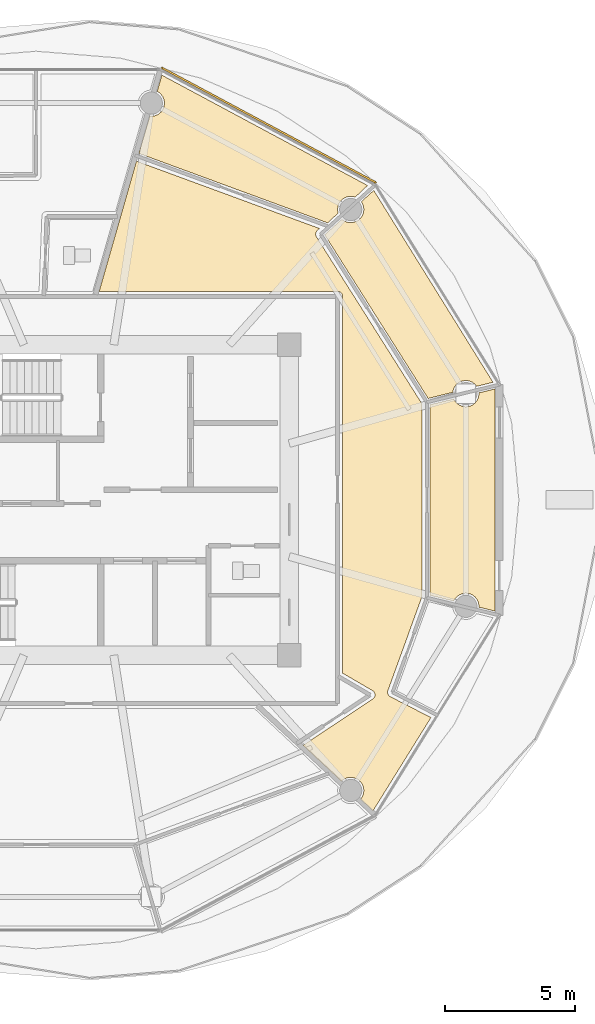
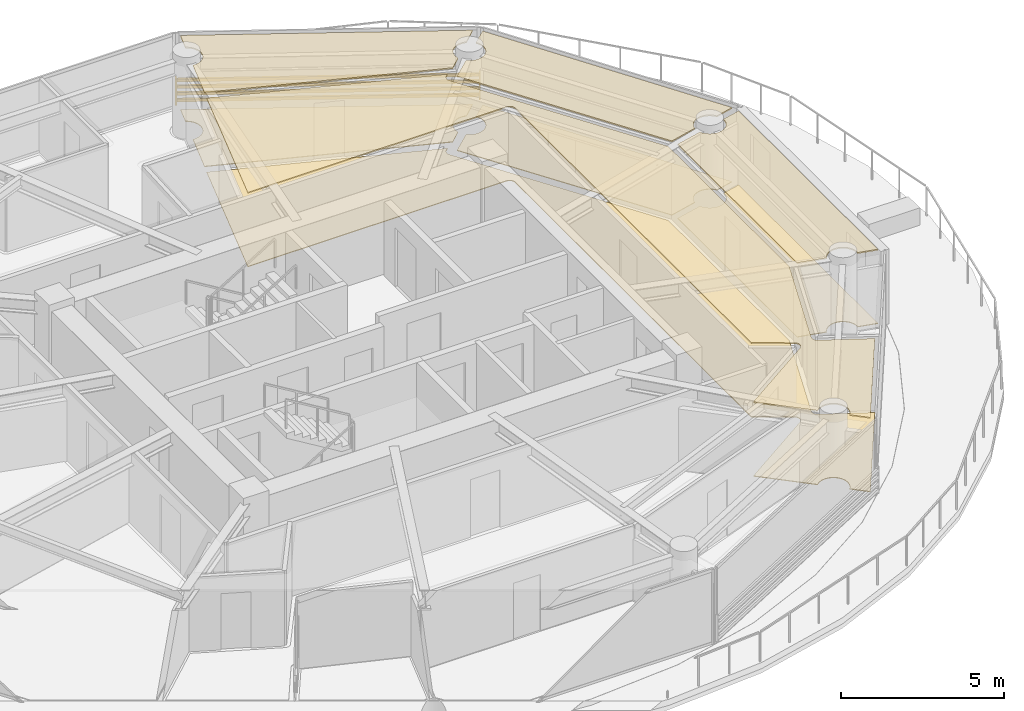
# One storey, part 30 of 32: 8 coverings, 1 shading device.
"""IFC4 building model written with IfcOpenShell, lengths in metres."""

from ifc_helpers import new_model, si_unit, direction, frame, origin, origin_2d, place, context, subcontext, project, spatial, polyline, rectangle, outline, extrude, source, transform, mapped, material, layer, layer_set, type_object, type_shapes, element, save


model = new_model("IFC4")

# Units and contexts
model_context = context("Model", 3, precision=1e-05, world=origin(), true_north=direction((0.0, 1.0)))
body_context = subcontext(model_context, "Body", "Model", "MODEL_VIEW")
ifc_project = project(units=[si_unit("LENGTHUNIT", "METRE"), si_unit("AREAUNIT", "SQUARE_METRE"), si_unit("VOLUMEUNIT", "CUBIC_METRE"), si_unit("PLANEANGLEUNIT", "RADIAN"), si_unit("MASSUNIT", "GRAM", prefix="KILO")], contexts=[model_context])

# Site, building, storey
site_placement = place(None, origin())
site = spatial("IfcSite", under=ifc_project, at=site_placement, CompositionType="ELEMENT")
building_placement = place(site_placement, origin())
building = spatial("IfcBuilding", under=site, at=building_placement, Name="Norrkilde Senior Care Towers", CompositionType="ELEMENT")
storey_placement = place(building_placement, frame((0.0, 0.0, 77.949951171875)))
storey = spatial("IfcBuildingStorey", under=building, at=storey_placement, Name="L23", CompositionType="ELEMENT", Elevation=77.949951171875)

# Coverings
ifc_material_1 = material(Name="Nordic Ash Timber", Category="wood")
ifc_layer_1 = layer(ifc_material_1, 0.044921875)
ifc_layer_set_1 = layer_set([ifc_layer_1], Name="Nordic Ash Timber")
covering_type_1 = type_object("IfcCoveringType", Name="Acoustic Ash Timber Slatted Ceiling 45", PredefinedType="CEILING", material=ifc_layer_set_1)
covering_1_placement = place(storey_placement, frame((0.0, 0.0, 2.7451171875)))
element("IfcCovering", 1, at=covering_1_placement, inside=storey, type_object=covering_type_1, Name="L23 Suspended Ceiling 0232", PredefinedType="CEILING", context=body_context, shape_type="SweptSolid", body=[
    extrude(outline(polyline([(36.703857421875, 10.30615234375), (36.696533203125, 10.29638671875), (36.692626953125, 10.29052734375), (36.6865234375, 10.2802734375), (36.683349609375, 10.274169921875), (36.67822265625, 10.26318359375), (36.675537109375, 10.2568359375), (36.671630859375, 10.245361328125), (36.669677734375, 10.23876953125), (36.6669921875, 10.22705078125), (36.66552734375, 10.22021484375), (36.6640625, 10.208251953125), (36.663330078125, 10.201416015625), (36.662841796875, 10.189453125), (36.6630859375, 10.182373046875), (36.663818359375, 10.17041015625), (36.66455078125, 10.16357421875), (36.66650390625, 10.151611328125), (36.66796875, 10.144775390625), (36.671142578125, 10.13330078125), (36.67333984375, 10.12646484375), (36.677490234375, 10.115234375), (36.680419921875, 10.10888671875), (36.685791015625, 10.09814453125), (36.689208984375, 10.092041015625), (36.6923828125, 10.0869140625), (40.73486328125, 3.691650390625), (40.73486328125, -3.71142578125), (39.432373046875, -7.3056640625), (39.4306640625, -7.311279296875), (39.428466796875, -7.317626953125), (39.42578125, -7.328857421875), (39.42431640625, -7.33544921875), (39.422607421875, -7.3466796875), (39.421875, -7.353515625), (39.421142578125, -7.364990234375), (39.421142578125, -7.371826171875), (39.421630859375, -7.38330078125), (39.422119140625, -7.39013671875), (39.423583984375, -7.4013671875), (39.4248046875, -7.407958984375), (39.427490234375, -7.41943359375), (39.429443359375, -7.42578125), (39.43310546875, -7.436767578125), (39.435546875, -7.443115234375), (39.440185546875, -7.45361328125), (39.443359375, -7.45947265625), (39.448974609375, -7.469482421875), (39.45263671875, -7.475341796875), (39.459228515625, -7.484619140625), (39.46337890625, -7.489990234375), (39.470947265625, -7.498779296875), (39.4755859375, -7.503662109375), (39.48388671875, -7.51171875), (39.489013671875, -7.51611328125), (39.498046875, -7.523193359375), (39.503662109375, -7.527099609375), (39.513427734375, -7.533203125), (39.519287109375, -7.53662109375), (39.524169921875, -7.53955078125), (41.08251953125, -8.339111328125), (38.858154296875, -11.918701171875), (38.38037109375, -11.4716796875), (38.443603515625, -11.389404296875), (38.493896484375, -11.267578125), (38.51123046875, -11.136962890625), (38.493896484375, -11.00634765625), (38.443603515625, -10.884521484375), (38.36328125, -10.77978515625), (38.2587890625, -10.69970703125), (38.136962890625, -10.649169921875), (38.006103515625, -10.6318359375), (37.87548828125, -10.649169921875), (37.753662109375, -10.69970703125), (37.649169921875, -10.77978515625), (37.64599609375, -10.783935546875), (36.174072265625, -9.40625), (38.8505859375, -7.6298828125), (38.855224609375, -7.62646484375), (38.860595703125, -7.62255859375), (38.86962890625, -7.615234375), (38.874755859375, -7.61083984375), (38.883056640625, -7.6025390625), (38.887451171875, -7.59765625), (38.89501953125, -7.5888671875), (38.89892578125, -7.583251953125), (38.905517578125, -7.57373046875), (38.908935546875, -7.568115234375), (38.91455078125, -7.557861328125), (38.91748046875, -7.5517578125), (38.922119140625, -7.541259765625), (38.924560546875, -7.534912109375), (38.927978515625, -7.52392578125), (38.9296875, -7.517333984375), (38.93212890625, -7.505859375), (38.933349609375, -7.499267578125), (38.9345703125, -7.48779296875), (38.93505859375, -7.48095703125), (38.935302734375, -7.469482421875), (38.93505859375, -7.462646484375), (38.934326171875, -7.451171875), (38.933349609375, -7.444580078125), (38.931396484375, -7.43310546875), (38.929931640625, -7.426513671875), (38.9267578125, -7.415283203125), (38.9248046875, -7.408935546875), (38.920654296875, -7.398193359375), (38.91796875, -7.391845703125), (38.91259765625, -7.381591796875), (38.909423828125, -7.375732421875), (38.9033203125, -7.365966796875), (38.8994140625, -7.3603515625), (38.892333984375, -7.35107421875), (38.887939453125, -7.345947265625), (38.880126953125, -7.337646484375), (38.875244140625, -7.332763671875), (38.866455078125, -7.3251953125), (38.861328125, -7.321044921875), (38.851806640625, -7.314208984375), (38.84619140625, -7.310546875), (38.84130859375, -7.307373046875), (37.699951171875, -6.64111328125), (37.699951171875, 7.800048828125), (37.699951171875, 7.805908203125), (37.699462890625, 7.813720703125), (37.6982421875, 7.825439453125), (37.697265625, 7.833251953125), (37.69482421875, 7.8447265625), (37.69287109375, 7.852294921875), (37.689453125, 7.86376953125), (37.68701171875, 7.87109375), (37.682373046875, 7.8818359375), (37.678955078125, 7.888916015625), (37.673583984375, 7.8994140625), (37.66943359375, 7.90625), (37.662841796875, 7.916015625), (37.658203125, 7.92236328125), (37.65087890625, 7.931396484375), (37.6455078125, 7.937255859375), (37.63720703125, 7.945556640625), (37.63134765625, 7.95068359375), (37.622314453125, 7.958251953125), (37.615966796875, 7.962890625), (37.606201171875, 7.969482421875), (37.599365234375, 7.973388671875), (37.589111328125, 7.97900390625), (37.58203125, 7.982421875), (37.571044921875, 7.98681640625), (37.563720703125, 7.989501953125), (37.552490234375, 7.992919921875), (37.544677734375, 7.994873046875), (37.533203125, 7.9970703125), (37.525390625, 7.998291015625), (37.513671875, 7.99951171875), (37.505859375, 7.999755859375), (37.5, 8.0), (28.36474609375, 8.0), (29.79296875, 12.989013671875), (36.811279296875, 10.406982421875), (36.7255859375, 10.32958984375), (36.72119140625, 10.325439453125), (36.71630859375, 10.3203125), (36.708251953125, 10.3115234375), (36.703857421875, 10.30615234375)])), origin(), (0.0, 0.0, 1.0), 0.044921875),
])
covering_2_placement = place(storey_placement, frame((0.0, 0.0, 2.7451171875)))
element("IfcCovering", 2, at=covering_2_placement, inside=storey, type_object=covering_type_1, Name="L23 Suspended Ceiling 0234", PredefinedType="CEILING", context=body_context, shape_type="SweptSolid", body=[
    extrude(outline(polyline([(41.981689453125, 3.823974609375), (42.06201171875, 3.71923828125), (42.16650390625, 3.63916015625), (42.288330078125, 3.588623046875), (42.4189453125, 3.5712890625), (42.5498046875, 3.588623046875), (42.671630859375, 3.63916015625), (42.776123046875, 3.71923828125), (42.8564453125, 3.823974609375), (42.90673828125, 3.94580078125), (42.924072265625, 4.076416015625), (42.919921875, 4.108154296875), (43.545166015625, 4.25927734375), (43.545166015625, -4.25927734375), (42.919921875, -4.108154296875), (42.924072265625, -4.076416015625), (42.90673828125, -3.94580078125), (42.8564453125, -3.823974609375), (42.776123046875, -3.71923828125), (42.671630859375, -3.63916015625), (42.5498046875, -3.588623046875), (42.4189453125, -3.5712890625), (42.288330078125, -3.588623046875), (42.16650390625, -3.63916015625), (42.06201171875, -3.71923828125), (41.981689453125, -3.823974609375), (41.9599609375, -3.876220703125), (41.044677734375, -3.655029296875), (41.044677734375, 3.655029296875), (41.9599609375, 3.876220703125), (41.981689453125, 3.823974609375)])), origin(), (0.0, 0.0, 1.0), 0.044921875),
])
covering_3_placement = place(storey_placement, frame((0.0, 0.0, 2.7451171875)))
element("IfcCovering", 3, at=covering_3_placement, inside=storey, type_object=covering_type_1, Name="L23 Suspended Ceiling 0235", PredefinedType="CEILING", context=body_context, shape_type="SweptSolid", body=[
    extrude(outline(polyline([(42.833740234375, 4.358642578125), (42.776123046875, 4.43359375), (42.671630859375, 4.513671875), (42.5498046875, 4.564208984375), (42.4189453125, 4.581298828125), (42.288330078125, 4.564208984375), (42.16650390625, 4.513671875), (42.06201171875, 4.43359375), (41.981689453125, 4.328857421875), (41.93115234375, 4.20703125), (41.921142578125, 4.129638671875), (40.974609375, 3.892333984375), (37.00830078125, 10.167236328125), (37.669677734375, 10.76416015625), (37.753662109375, 10.69970703125), (37.87548828125, 10.649169921875), (38.006103515625, 10.6318359375), (38.136962890625, 10.649169921875), (38.2587890625, 10.69970703125), (38.36328125, 10.77978515625), (38.443603515625, 10.884521484375), (38.493896484375, 11.00634765625), (38.51123046875, 11.136962890625), (38.493896484375, 11.267578125), (38.443603515625, 11.389404296875), (38.41015625, 11.432861328125), (38.890625, 11.866455078125), (43.45849609375, 4.515380859375), (42.833740234375, 4.358642578125)])), origin(), (0.0, 0.0, 1.0), 0.044921875),
])
covering_4_placement = place(storey_placement, frame((0.0, 0.0, 2.7451171875)))
element("IfcCovering", 4, at=covering_4_placement, inside=storey, type_object=covering_type_1, Name="L23 Suspended Ceiling 0236", PredefinedType="CEILING", context=body_context, shape_type="SweptSolid", body=[
    extrude(outline(polyline([(38.17578125, 11.608642578125), (38.136962890625, 11.624755859375), (38.006103515625, 11.641845703125), (37.87548828125, 11.624755859375), (37.753662109375, 11.57421875), (37.649169921875, 11.494140625), (37.56884765625, 11.389404296875), (37.518310546875, 11.267578125), (37.501220703125, 11.136962890625), (37.518310546875, 11.00634765625), (37.522216796875, 10.9970703125), (37.12255859375, 10.622802734375), (29.885009765625, 13.285400390625), (30.306640625, 14.7158203125), (30.36279296875, 14.708251953125), (30.49365234375, 14.7255859375), (30.615478515625, 14.77587890625), (30.719970703125, 14.856201171875), (30.80029296875, 14.9609375), (30.8505859375, 15.08251953125), (30.867919921875, 15.21337890625), (30.8505859375, 15.343994140625), (30.80029296875, 15.4658203125), (30.719970703125, 15.5703125), (30.615478515625, 15.650634765625), (30.585693359375, 15.6630859375), (30.768798828125, 16.28466796875), (38.65283203125, 12.055419921875), (38.17578125, 11.608642578125)])), origin(), (0.0, 0.0, 1.0), 0.044921875),
])
ifc_material_2 = material(Name="Slip-Resistant Porcelain Stone", Category="masonry")
ifc_layer_2 = layer(ifc_material_2, 0.02490234375)
ifc_layer_set_2 = layer_set([ifc_layer_2], Name="Slip-Resistant Porcelain Stone")
covering_type_2 = type_object("IfcCoveringType", Name="Slip-Resistant Porcelain Flooring 25", PredefinedType="FLOORING", material=ifc_layer_set_2)
covering_5_placement = place(storey_placement, origin())
element("IfcCovering", 5, at=covering_5_placement, inside=storey, type_object=covering_type_2, Name="L23 Floor Finish 0232", PredefinedType="FLOORING", context=body_context, shape_type="SweptSolid", body=[
    extrude(outline(polyline([(36.703857421875, 10.30615234375), (36.696533203125, 10.29638671875), (36.692626953125, 10.29052734375), (36.6865234375, 10.2802734375), (36.683349609375, 10.274169921875), (36.67822265625, 10.26318359375), (36.675537109375, 10.2568359375), (36.671630859375, 10.245361328125), (36.669677734375, 10.23876953125), (36.6669921875, 10.22705078125), (36.66552734375, 10.22021484375), (36.6640625, 10.208251953125), (36.663330078125, 10.201416015625), (36.662841796875, 10.189453125), (36.6630859375, 10.182373046875), (36.663818359375, 10.17041015625), (36.66455078125, 10.16357421875), (36.66650390625, 10.151611328125), (36.66796875, 10.144775390625), (36.671142578125, 10.13330078125), (36.67333984375, 10.12646484375), (36.677490234375, 10.115234375), (36.680419921875, 10.10888671875), (36.685791015625, 10.09814453125), (36.689208984375, 10.092041015625), (36.6923828125, 10.0869140625), (40.73486328125, 3.691650390625), (40.73486328125, -3.71142578125), (39.432373046875, -7.3056640625), (39.4306640625, -7.311279296875), (39.428466796875, -7.317626953125), (39.42578125, -7.328857421875), (39.42431640625, -7.33544921875), (39.422607421875, -7.3466796875), (39.421875, -7.353515625), (39.421142578125, -7.364990234375), (39.421142578125, -7.371826171875), (39.421630859375, -7.38330078125), (39.422119140625, -7.39013671875), (39.423583984375, -7.4013671875), (39.4248046875, -7.407958984375), (39.427490234375, -7.41943359375), (39.429443359375, -7.42578125), (39.43310546875, -7.436767578125), (39.435546875, -7.443115234375), (39.440185546875, -7.45361328125), (39.443359375, -7.45947265625), (39.448974609375, -7.469482421875), (39.45263671875, -7.475341796875), (39.459228515625, -7.484619140625), (39.46337890625, -7.489990234375), (39.470947265625, -7.498779296875), (39.4755859375, -7.503662109375), (39.48388671875, -7.51171875), (39.489013671875, -7.51611328125), (39.498046875, -7.523193359375), (39.503662109375, -7.527099609375), (39.513427734375, -7.533203125), (39.519287109375, -7.53662109375), (39.524169921875, -7.53955078125), (41.08251953125, -8.339111328125), (38.858154296875, -11.918701171875), (38.38037109375, -11.4716796875), (38.443603515625, -11.389404296875), (38.493896484375, -11.267578125), (38.51123046875, -11.136962890625), (38.493896484375, -11.00634765625), (38.443603515625, -10.884521484375), (38.36328125, -10.77978515625), (38.2587890625, -10.69970703125), (38.136962890625, -10.649169921875), (38.006103515625, -10.6318359375), (37.87548828125, -10.649169921875), (37.753662109375, -10.69970703125), (37.649169921875, -10.77978515625), (37.64599609375, -10.783935546875), (36.174072265625, -9.40625), (38.8505859375, -7.6298828125), (38.855224609375, -7.62646484375), (38.860595703125, -7.62255859375), (38.86962890625, -7.615234375), (38.874755859375, -7.61083984375), (38.883056640625, -7.6025390625), (38.887451171875, -7.59765625), (38.89501953125, -7.5888671875), (38.89892578125, -7.583251953125), (38.905517578125, -7.57373046875), (38.908935546875, -7.568115234375), (38.91455078125, -7.557861328125), (38.91748046875, -7.5517578125), (38.922119140625, -7.541259765625), (38.924560546875, -7.534912109375), (38.927978515625, -7.52392578125), (38.9296875, -7.517333984375), (38.93212890625, -7.505859375), (38.933349609375, -7.499267578125), (38.9345703125, -7.48779296875), (38.93505859375, -7.48095703125), (38.935302734375, -7.469482421875), (38.93505859375, -7.462646484375), (38.934326171875, -7.451171875), (38.933349609375, -7.444580078125), (38.931396484375, -7.43310546875), (38.929931640625, -7.426513671875), (38.9267578125, -7.415283203125), (38.9248046875, -7.408935546875), (38.920654296875, -7.398193359375), (38.91796875, -7.391845703125), (38.91259765625, -7.381591796875), (38.909423828125, -7.375732421875), (38.9033203125, -7.365966796875), (38.8994140625, -7.3603515625), (38.892333984375, -7.35107421875), (38.887939453125, -7.345947265625), (38.880126953125, -7.337646484375), (38.875244140625, -7.332763671875), (38.866455078125, -7.3251953125), (38.861328125, -7.321044921875), (38.851806640625, -7.314208984375), (38.84619140625, -7.310546875), (38.84130859375, -7.307373046875), (37.699951171875, -6.64111328125), (37.699951171875, 7.800048828125), (37.699951171875, 7.805908203125), (37.699462890625, 7.813720703125), (37.6982421875, 7.825439453125), (37.697265625, 7.833251953125), (37.69482421875, 7.8447265625), (37.69287109375, 7.852294921875), (37.689453125, 7.86376953125), (37.68701171875, 7.87109375), (37.682373046875, 7.8818359375), (37.678955078125, 7.888916015625), (37.673583984375, 7.8994140625), (37.66943359375, 7.90625), (37.662841796875, 7.916015625), (37.658203125, 7.92236328125), (37.65087890625, 7.931396484375), (37.6455078125, 7.937255859375), (37.63720703125, 7.945556640625), (37.63134765625, 7.95068359375), (37.622314453125, 7.958251953125), (37.615966796875, 7.962890625), (37.606201171875, 7.969482421875), (37.599365234375, 7.973388671875), (37.589111328125, 7.97900390625), (37.58203125, 7.982421875), (37.571044921875, 7.98681640625), (37.563720703125, 7.989501953125), (37.552490234375, 7.992919921875), (37.544677734375, 7.994873046875), (37.533203125, 7.9970703125), (37.525390625, 7.998291015625), (37.513671875, 7.99951171875), (37.505859375, 7.999755859375), (37.5, 8.0), (28.36474609375, 8.0), (29.79296875, 12.989013671875), (36.811279296875, 10.406982421875), (36.7255859375, 10.32958984375), (36.72119140625, 10.325439453125), (36.71630859375, 10.3203125), (36.708251953125, 10.3115234375), (36.703857421875, 10.30615234375)])), origin(), (0.0, 0.0, 1.0), 0.025146484375),
])
covering_6_placement = place(storey_placement, origin())
element("IfcCovering", 6, at=covering_6_placement, inside=storey, type_object=covering_type_2, Name="L23 Floor Finish 0234", PredefinedType="FLOORING", context=body_context, shape_type="SweptSolid", body=[
    extrude(outline(polyline([(41.981689453125, 3.823974609375), (42.06201171875, 3.71923828125), (42.16650390625, 3.63916015625), (42.288330078125, 3.588623046875), (42.4189453125, 3.5712890625), (42.5498046875, 3.588623046875), (42.671630859375, 3.63916015625), (42.776123046875, 3.71923828125), (42.8564453125, 3.823974609375), (42.90673828125, 3.94580078125), (42.924072265625, 4.076416015625), (42.919921875, 4.108154296875), (43.545166015625, 4.25927734375), (43.545166015625, -4.25927734375), (42.919921875, -4.108154296875), (42.924072265625, -4.076416015625), (42.90673828125, -3.94580078125), (42.8564453125, -3.823974609375), (42.776123046875, -3.71923828125), (42.671630859375, -3.63916015625), (42.5498046875, -3.588623046875), (42.4189453125, -3.5712890625), (42.288330078125, -3.588623046875), (42.16650390625, -3.63916015625), (42.06201171875, -3.71923828125), (41.981689453125, -3.823974609375), (41.9599609375, -3.876220703125), (41.044677734375, -3.655029296875), (41.044677734375, 3.655029296875), (41.9599609375, 3.876220703125), (41.981689453125, 3.823974609375)])), origin(), (0.0, 0.0, 1.0), 0.025146484375),
])
covering_7_placement = place(storey_placement, origin())
element("IfcCovering", 7, at=covering_7_placement, inside=storey, type_object=covering_type_2, Name="L23 Floor Finish 0235", PredefinedType="FLOORING", context=body_context, shape_type="SweptSolid", body=[
    extrude(outline(polyline([(42.833740234375, 4.358642578125), (42.776123046875, 4.43359375), (42.671630859375, 4.513671875), (42.5498046875, 4.564208984375), (42.4189453125, 4.581298828125), (42.288330078125, 4.564208984375), (42.16650390625, 4.513671875), (42.06201171875, 4.43359375), (41.981689453125, 4.328857421875), (41.93115234375, 4.20703125), (41.921142578125, 4.129638671875), (40.974609375, 3.892333984375), (37.00830078125, 10.167236328125), (37.669677734375, 10.76416015625), (37.753662109375, 10.69970703125), (37.87548828125, 10.649169921875), (38.006103515625, 10.6318359375), (38.136962890625, 10.649169921875), (38.2587890625, 10.69970703125), (38.36328125, 10.77978515625), (38.443603515625, 10.884521484375), (38.493896484375, 11.00634765625), (38.51123046875, 11.136962890625), (38.493896484375, 11.267578125), (38.443603515625, 11.389404296875), (38.41015625, 11.432861328125), (38.890625, 11.866455078125), (43.45849609375, 4.515380859375), (42.833740234375, 4.358642578125)])), origin(), (0.0, 0.0, 1.0), 0.025146484375),
])
covering_8_placement = place(storey_placement, origin())
element("IfcCovering", 8, at=covering_8_placement, inside=storey, type_object=covering_type_2, Name="L23 Floor Finish 0236", PredefinedType="FLOORING", context=body_context, shape_type="SweptSolid", body=[
    extrude(outline(polyline([(38.17578125, 11.608642578125), (38.136962890625, 11.624755859375), (38.006103515625, 11.641845703125), (37.87548828125, 11.624755859375), (37.753662109375, 11.57421875), (37.649169921875, 11.494140625), (37.56884765625, 11.389404296875), (37.518310546875, 11.267578125), (37.501220703125, 11.136962890625), (37.518310546875, 11.00634765625), (37.522216796875, 10.9970703125), (37.12255859375, 10.622802734375), (29.885009765625, 13.285400390625), (30.306640625, 14.7158203125), (30.36279296875, 14.708251953125), (30.49365234375, 14.7255859375), (30.615478515625, 14.77587890625), (30.719970703125, 14.856201171875), (30.80029296875, 14.9609375), (30.8505859375, 15.08251953125), (30.867919921875, 15.21337890625), (30.8505859375, 15.343994140625), (30.80029296875, 15.4658203125), (30.719970703125, 15.5703125), (30.615478515625, 15.650634765625), (30.585693359375, 15.6630859375), (30.768798828125, 16.28466796875), (38.65283203125, 12.055419921875), (38.17578125, 11.608642578125)])), origin(), (0.0, 0.0, 1.0), 0.025146484375),
])

# Shading device
ifc_material_3 = material(Name="Architectural Terracotta", Category="masonry")
shading_device_type = type_object("IfcShadingDeviceType", Name="Horizontal Terracotta Baguette Rack", PredefinedType="USERDEFINED", material=ifc_material_3)
shared_shape = source(origin(), body_context, "Body", "SweptSolid", [
    extrude(rectangle(XDim=0.070068359375, YDim=0.110107421875, at=origin_2d()), frame((0.0, 0.090087890625, 0.125), z_axis=(1.0, 0.0, 0.0), x_axis=(0.0, 1.0, 0.0)), (0.0, 0.0, 1.0), 9.3505859375),
    extrude(rectangle(XDim=0.070068359375, YDim=0.110107421875, at=origin_2d()), frame((0.0, 0.090087890625, 0.375), z_axis=(1.0, 0.0, 0.0), x_axis=(0.0, 1.0, 0.0)), (0.0, 0.0, 1.0), 9.3505859375),
    extrude(rectangle(XDim=0.070068359375, YDim=0.110107421875, at=origin_2d()), frame((0.0, 0.090087890625, 0.625), z_axis=(1.0, 0.0, 0.0), x_axis=(0.0, 1.0, 0.0)), (0.0, 0.0, 1.0), 9.3505859375),
    extrude(rectangle(XDim=0.070068359375, YDim=0.110107421875, at=origin_2d()), frame((0.0, 0.090087890625, 0.875), z_axis=(1.0, 0.0, 0.0), x_axis=(0.0, 1.0, 0.0)), (0.0, 0.0, 1.0), 9.3505859375),
    extrude(rectangle(XDim=0.050048828125, YDim=0.1552734375, at=origin_2d()), frame((0.02490234375, 0.047607421875, 0.0)), (0.0, 0.0, 1.0), 1.0),
    extrude(rectangle(XDim=0.050048828125, YDim=0.1552734375, at=origin_2d()), frame((9.32568359375, 0.047607421875, 0.0)), (0.0, 0.0, 1.0), 1.0),
])
type_shapes(shading_device_type, [shared_shape])
shading_device_placement = place(storey_placement, frame((30.70703125, 16.498046875, 0.080078125), z_axis=(0.0, 0.0, 1.0), x_axis=(0.881174934726, -0.472767624021, 0.0)))
element("IfcShadingDevice", 9, at=shading_device_placement, inside=storey, type_object=shading_device_type, Name="L23 Drum E Terracotta Baguette Screen 01", ObjectType="BAGUETTE", PredefinedType="USERDEFINED", context=body_context, shape_type="MappedRepresentation", body=[
    mapped(shared_shape, transform((0.0, 0.0, 0.0), x_axis=(1.0, 0.0, 0.0), y_axis=(0.0, 1.0, 0.0), z_axis=(0.0, 0.0, 1.0), scale=1.0)),
])

save(model, "model.ifc")
